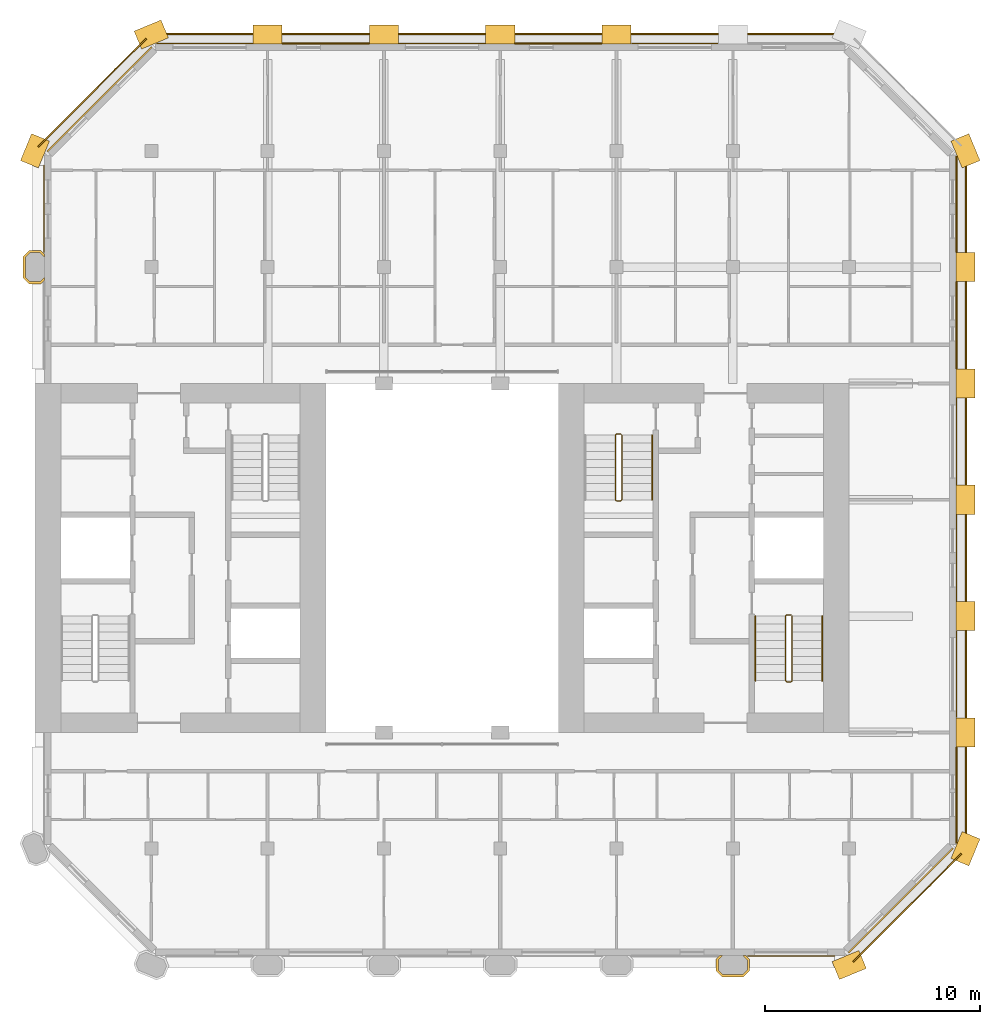
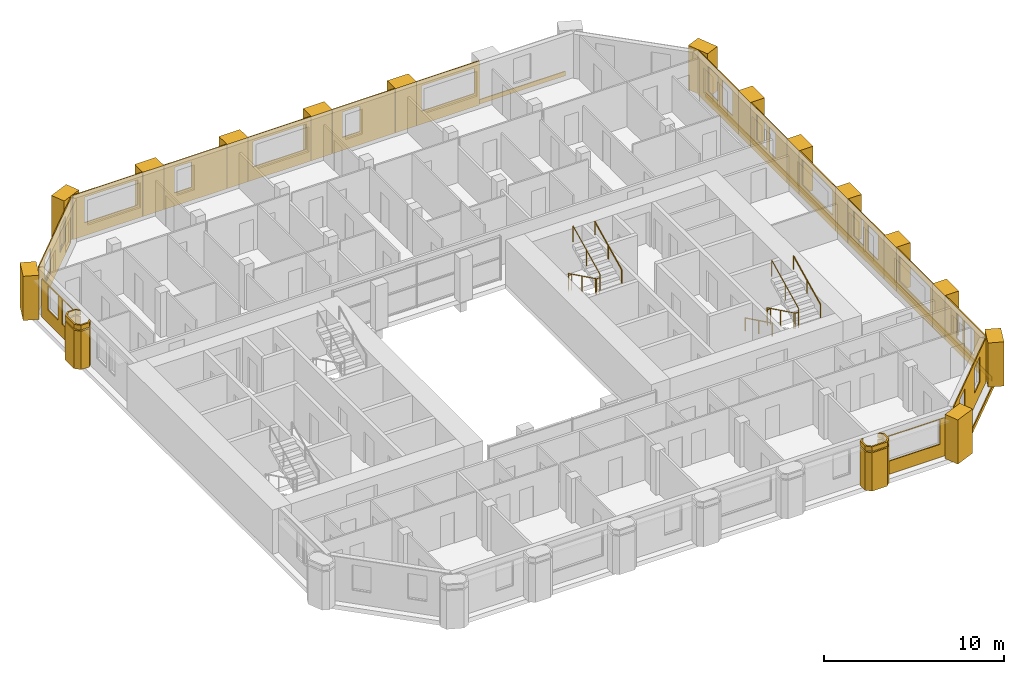
# One storey, part 12 of 13: 37 coverings, 5 railings.
"""IFC4 building model written with IfcOpenShell, lengths in metres."""

from ifc_helpers import new_model, si_unit, direction, frame, frame_2d, origin, origin_2d, place, context, subcontext, project, spatial, polyline, rectangle, circle, outline, extrude, material, layer, layer_set, type_object, element, save


model = new_model("IFC4")

# Units and contexts
model_context = context("Model", 3, precision=1e-05, world=origin(), true_north=direction((0.0, 1.0)))
body_context = subcontext(model_context, "Body", "Model", "MODEL_VIEW")
ifc_project = project(units=[si_unit("LENGTHUNIT", "METRE"), si_unit("AREAUNIT", "SQUARE_METRE"), si_unit("VOLUMEUNIT", "CUBIC_METRE"), si_unit("PLANEANGLEUNIT", "RADIAN"), si_unit("MASSUNIT", "GRAM", prefix="KILO")], contexts=[model_context])

# Site, building, storey
site_placement = place(None, origin())
site = spatial("IfcSite", under=ifc_project, at=site_placement, CompositionType="ELEMENT")
building_placement = place(site_placement, origin())
building = spatial("IfcBuilding", under=site, at=building_placement, Name="Tabaq Tower and Sports Hall", CompositionType="ELEMENT")
storey_placement = place(building_placement, frame((0.0, 0.0, 298.300048828125)))
storey = spatial("IfcBuildingStorey", under=building, at=storey_placement, Name="L74", CompositionType="ELEMENT", Elevation=298.300048828125)

# Coverings
ifc_material_1 = material(Name="Precast concrete C60/75", Category="concrete")
ifc_layer_1 = layer(ifc_material_1, 0.10009765625)
ifc_layer_set_1 = layer_set([ifc_layer_1], Name="Column cladding 100")
covering_type_1 = type_object("IfcCoveringType", Name="Column cladding 100", PredefinedType="CLADDING", material=ifc_layer_set_1)
covering_1_placement = place(storey_placement, origin())
element("IfcCovering", 1, at=covering_1_placement, inside=storey, type_object=covering_type_1, Name="Column cladding L74 PC-2H-R2", PredefinedType="CLADDING", context=body_context, shape_type="SweptSolid", body=[
    extrude(outline(polyline([(5.1337890625, 37.025390625), (4.850341796875, 37.30859375), (4.850341796875, 38.291259765625), (5.1337890625, 38.57470703125), (5.666259765625, 38.57470703125), (5.849609375, 38.391357421875), (5.849609375, 38.250732421875), (5.625244140625, 38.475341796875), (5.1748046875, 38.475341796875), (4.94970703125, 38.250244140625), (4.94970703125, 37.349853515625), (5.1748046875, 37.124755859375), (5.625244140625, 37.124755859375), (5.849609375, 37.349365234375), (5.849609375, 37.208740234375), (5.666259765625, 37.025390625), (5.1337890625, 37.025390625)])), origin(), (0.0, 0.0, 1.0), 2.599853515625),
])
covering_2_placement = place(storey_placement, frame((0.0, 0.0, 2.699951171875)))
element("IfcCovering", 2, at=covering_2_placement, inside=storey, type_object=covering_type_1, Name="Column cladding L74 PC-2H-R2 2", PredefinedType="CLADDING", context=body_context, shape_type="SweptSolid", body=[
    extrude(outline(polyline([(5.1337890625, 37.025390625), (4.850341796875, 37.30859375), (4.850341796875, 38.291259765625), (5.1337890625, 38.57470703125), (5.666259765625, 38.57470703125), (5.849609375, 38.391357421875), (5.849609375, 38.250732421875), (5.625244140625, 38.475341796875), (5.1748046875, 38.475341796875), (4.94970703125, 38.250244140625), (4.94970703125, 37.349853515625), (5.1748046875, 37.124755859375), (5.625244140625, 37.124755859375), (5.849609375, 37.349365234375), (5.849609375, 37.208740234375), (5.666259765625, 37.025390625), (5.1337890625, 37.025390625)])), origin(), (0.0, 0.0, 1.0), 0.300048828125),
])
covering_3_placement = place(storey_placement, origin())
element("IfcCovering", 3, at=covering_3_placement, inside=storey, type_object=covering_type_1, Name="Column cladding L74 PC-8B-R2", PredefinedType="CLADDING", context=body_context, shape_type="SweptSolid", body=[
    extrude(outline(polyline([(37.025390625, 5.666259765625), (37.208740234375, 5.849609375), (37.349365234375, 5.849609375), (37.124755859375, 5.625244140625), (37.124755859375, 5.1748046875), (37.349853515625, 4.94970703125), (38.250244140625, 4.94970703125), (38.475341796875, 5.1748046875), (38.475341796875, 5.625244140625), (38.250732421875, 5.849609375), (38.391357421875, 5.849609375), (38.57470703125, 5.666259765625), (38.57470703125, 5.1337890625), (38.291259765625, 4.850341796875), (37.30859375, 4.850341796875), (37.025390625, 5.1337890625), (37.025390625, 5.666259765625)])), origin(), (0.0, 0.0, 1.0), 2.599853515625),
])
covering_4_placement = place(storey_placement, frame((0.0, 0.0, 2.699951171875)))
element("IfcCovering", 4, at=covering_4_placement, inside=storey, type_object=covering_type_1, Name="Column cladding L74 PC-8B-R2 2", PredefinedType="CLADDING", context=body_context, shape_type="SweptSolid", body=[
    extrude(outline(polyline([(37.025390625, 5.666259765625), (37.208740234375, 5.849609375), (37.349365234375, 5.849609375), (37.124755859375, 5.625244140625), (37.124755859375, 5.1748046875), (37.349853515625, 4.94970703125), (38.250244140625, 4.94970703125), (38.475341796875, 5.1748046875), (38.475341796875, 5.625244140625), (38.250732421875, 5.849609375), (38.391357421875, 5.849609375), (38.57470703125, 5.666259765625), (38.57470703125, 5.1337890625), (38.291259765625, 4.850341796875), (37.30859375, 4.850341796875), (37.025390625, 5.1337890625), (37.025390625, 5.666259765625)])), origin(), (0.0, 0.0, 1.0), 0.300048828125),
])
ifc_material_2 = material(Name="Precast concrete C60/75", Category="concrete")
ifc_layer_2 = layer(ifc_material_2, 0.06005859375)
ifc_layer_set_2 = layer_set([ifc_layer_2], Name="Edge beam cladding 60")
covering_type_2 = type_object("IfcCoveringType", Name="Edge beam cladding 60", PredefinedType="CLADDING", material=ifc_layer_set_2)
covering_5_placement = place(storey_placement, frame((43.39794921875, 5.5556640625, -0.300048828125), z_axis=(0.0, 0.0, 1.0), x_axis=(0.707124002701, 0.707089559252, 0.0)))
element("IfcCovering", 5, at=covering_5_placement, inside=storey, type_object=covering_type_2, Name="Edge beam cladding L74 1", PredefinedType="CLADDING", context=body_context, shape_type="SweptSolid", body=[
    extrude(rectangle(XDim=7.088134765625, YDim=0.06005859375, at=frame_2d((3.5439453125, 0.0))), origin(), (0.0, 0.0, 1.0), 0.300048828125),
])
for number, where, z_axis, x_axis, name in (
    (6, (48.6298828125, 11.0986328125, -0.300048828125), (0.0, 0.0, 1.0), (0.0, 1.0, 0.0), "Edge beam cladding L74 2"),
    (7, (42.9013671875, 48.6298828125, -0.300048828125), (0.0, 0.0, 1.0), (-1.0, 0.0, 0.0), "Edge beam cladding L74 4"),
):
    element("IfcCovering", number, at=place(storey_placement, frame(where, z_axis=z_axis, x_axis=x_axis)), inside=storey, type_object=covering_type_2, Name=name, PredefinedType="CLADDING", context=body_context, shape_type="SweptSolid", body=[
        extrude(rectangle(XDim=31.802734375, YDim=0.06005859375, at=frame_2d((15.9013671875, 0.0))), origin(), (0.0, 0.0, 1.0), 0.300048828125),
    ])
covering_6_placement = place(storey_placement, frame((10.567626953125, 48.41015625, -0.300048828125), z_axis=(0.0, 0.0, 1.0), x_axis=(-0.707089559252, -0.707124002701, 0.0)))
element("IfcCovering", 8, at=covering_6_placement, inside=storey, type_object=covering_type_2, Name="Edge beam cladding L74 5", PredefinedType="CLADDING", context=body_context, shape_type="SweptSolid", body=[
    extrude(rectangle(XDim=7.088134765625, YDim=0.06005859375, at=frame_2d((3.5439453125, 0.0))), origin(), (0.0, 0.0, 1.0), 0.300048828125),
])
ifc_material_3 = material(Name="White precast concrete C60/75", Category="concrete")
covering_type_3 = type_object("IfcCoveringType", Name="Pier cladding hung 1350x900", PredefinedType="CLADDING", material=ifc_material_3)
for number, where, z_axis, x_axis, name in (
    (9, (5.658203125, 43.82373046875, 0.0), (0.0, 0.0, 1.0), (-0.382649923473, -0.923893411637, 0.0), "Hung pier cladding 1/8"),
    (10, (11.423583984375, 48.8583984375, 0.0), (0.0, 0.0, 1.0), (-0.923893411637, -0.382649923473, 0.0), "Hung pier cladding 2/9"),
    (11, (16.875, 48.60009765625, 0.0), (0.0, 0.0, 1.0), (-1.0, 0.0, 0.0), "Hung pier cladding 3/9"),
):
    element("IfcCovering", number, at=place(storey_placement, frame(where, z_axis=z_axis, x_axis=x_axis)), inside=storey, type_object=covering_type_3, Name=name, PredefinedType="CLADDING", context=body_context, shape_type="SweptSolid", body=[
        extrude(rectangle(XDim=1.35009765625, YDim=0.89990234375, at=frame_2d((0.675048828125, 0.0))), origin(), (0.0, 0.0, 1.0), 3.0),
    ])
covering_7_placement = place(storey_placement, frame((22.27490234375, 48.60009765625, 0.0), z_axis=(0.0, 0.0, 1.0), x_axis=(-1.0, 0.0, 0.0)))
element("IfcCovering", 12, at=covering_7_placement, inside=storey, type_object=covering_type_3, Name="Hung pier cladding 4/9", PredefinedType="CLADDING", context=body_context, shape_type="SweptSolid", body=[
    extrude(rectangle(XDim=1.349853515625, YDim=0.89990234375, at=frame_2d((0.6748046875, 0.0))), origin(), (0.0, 0.0, 1.0), 3.0),
])
covering_8_placement = place(storey_placement, frame((27.675048828125, 48.60009765625, 0.0), z_axis=(0.0, 0.0, 1.0), x_axis=(-1.0, 0.0, 0.0)))
element("IfcCovering", 13, at=covering_8_placement, inside=storey, type_object=covering_type_3, Name="Hung pier cladding 5/9", PredefinedType="CLADDING", context=body_context, shape_type="SweptSolid", body=[
    extrude(rectangle(XDim=1.35009765625, YDim=0.89990234375, at=frame_2d((0.675048828125, 0.0))), origin(), (0.0, 0.0, 1.0), 3.0),
])
covering_9_placement = place(storey_placement, frame((33.074951171875, 48.60009765625, 0.0), z_axis=(0.0, 0.0, 1.0), x_axis=(-1.0, 0.0, 0.0)))
element("IfcCovering", 14, at=covering_9_placement, inside=storey, type_object=covering_type_3, Name="Hung pier cladding 6/9", PredefinedType="CLADDING", context=body_context, shape_type="SweptSolid", body=[
    extrude(rectangle(XDim=1.349853515625, YDim=0.89990234375, at=frame_2d((0.6748046875, 0.0))), origin(), (0.0, 0.0, 1.0), 3.0),
])
for number, where, z_axis, x_axis, name in (
    (15, (42.576416015625, 5.1416015625, 0.0), (0.0, 0.0, 1.0), (0.923893411637, 0.382649923473, 0.0), "Hung pier cladding 8/1"),
    (16, (48.341796875, 10.17626953125, 0.0), (0.0, 0.0, 1.0), (0.382649923473, 0.923893411637, 0.0), "Hung pier cladding 9/2"),
    (17, (48.60009765625, 15.52490234375, 0.0), (0.0, 0.0, 1.0), (0.0, 1.0, 0.0), "Hung pier cladding 9/3"),
):
    element("IfcCovering", number, at=place(storey_placement, frame(where, z_axis=z_axis, x_axis=x_axis)), inside=storey, type_object=covering_type_3, Name=name, PredefinedType="CLADDING", context=body_context, shape_type="SweptSolid", body=[
        extrude(rectangle(XDim=1.35009765625, YDim=0.89990234375, at=frame_2d((0.675048828125, 0.0))), origin(), (0.0, 0.0, 1.0), 3.0),
    ])
covering_10_placement = place(storey_placement, frame((48.60009765625, 20.925048828125, 0.0), z_axis=(0.0, 0.0, 1.0), x_axis=(0.0, 1.0, 0.0)))
element("IfcCovering", 18, at=covering_10_placement, inside=storey, type_object=covering_type_3, Name="Hung pier cladding 9/4", PredefinedType="CLADDING", context=body_context, shape_type="SweptSolid", body=[
    extrude(rectangle(XDim=1.349853515625, YDim=0.89990234375, at=frame_2d((0.6748046875, 0.0))), origin(), (0.0, 0.0, 1.0), 3.0),
])
covering_11_placement = place(storey_placement, frame((48.60009765625, 26.324951171875, 0.0), z_axis=(0.0, 0.0, 1.0), x_axis=(0.0, 1.0, 0.0)))
element("IfcCovering", 19, at=covering_11_placement, inside=storey, type_object=covering_type_3, Name="Hung pier cladding 9/5", PredefinedType="CLADDING", context=body_context, shape_type="SweptSolid", body=[
    extrude(rectangle(XDim=1.35009765625, YDim=0.89990234375, at=frame_2d((0.675048828125, 0.0))), origin(), (0.0, 0.0, 1.0), 3.0),
])
covering_12_placement = place(storey_placement, frame((48.60009765625, 31.72509765625, 0.0), z_axis=(0.0, 0.0, 1.0), x_axis=(0.0, 1.0, 0.0)))
element("IfcCovering", 20, at=covering_12_placement, inside=storey, type_object=covering_type_3, Name="Hung pier cladding 9/6", PredefinedType="CLADDING", context=body_context, shape_type="SweptSolid", body=[
    extrude(rectangle(XDim=1.349853515625, YDim=0.89990234375, at=frame_2d((0.6748046875, 0.0))), origin(), (0.0, 0.0, 1.0), 3.0),
])
for number, where, z_axis, x_axis, name in (
    (21, (48.60009765625, 37.125, 0.0), (0.0, 0.0, 1.0), (0.0, 1.0, 0.0), "Hung pier cladding 9/7"),
    (22, (48.8583984375, 42.576416015625, 0.0), (0.0, 0.0, 1.0), (-0.382649923473, 0.923893411637, 0.0), "Hung pier cladding 9/8"),
):
    element("IfcCovering", number, at=place(storey_placement, frame(where, z_axis=z_axis, x_axis=x_axis)), inside=storey, type_object=covering_type_3, Name=name, PredefinedType="CLADDING", context=body_context, shape_type="SweptSolid", body=[
        extrude(rectangle(XDim=1.35009765625, YDim=0.89990234375, at=frame_2d((0.675048828125, 0.0))), origin(), (0.0, 0.0, 1.0), 3.0),
    ])

# Railings
ifc_material_4 = material(Name="Stainless steel", Category="steel")
railing_type_1 = type_object("IfcRailingType", Name="Stair guard", PredefinedType="GUARDRAIL", material=ifc_material_4)
railing_1_placement = place(storey_placement, frame((40.5, 21.64990234375, 0.0)))
element("IfcRailing", 23, at=railing_1_placement, inside=storey, type_object=railing_type_1, Name="L74 ST3 stair guard 1", PredefinedType="GUARDRAIL", context=body_context, shape_type="SweptSolid", body=[
    extrude(circle(Radius=0.02392578125, at=origin_2d()), frame((0.0, 0.0, 1.076171875), z_axis=(-1.0, 0.0, 0.0), x_axis=(0.0, -1.0, 0.0)), (0.0, 0.0, 1.0), 0.199951171875),
    extrude(circle(Radius=0.02392578125, at=origin_2d()), frame((-0.199951171875, 0.0, 1.076171875), z_axis=(-0.254733673405, -0.25349107012, 0.933195066962), x_axis=(0.705375805398, -0.708833529934, 0.0)), (0.0, 0.0, 1.0), 0.196533203125),
    extrude(circle(Radius=0.02392578125, at=origin_2d()), frame((-0.25, -0.0498046875, 1.25927734375), z_axis=(0.0, -0.898397823093, 0.439182594671), x_axis=(1.0, 0.0, 0.0)), (0.0, 0.0, 1.0), 3.33935546875),
    extrude(circle(Radius=0.02392578125, at=origin_2d()), frame((-0.25, -3.0498046875, 2.72607421875), z_axis=(0.707106781187, -0.707106781187, 0.0), x_axis=(0.707106781187, 0.707106781187, 0.0)), (0.0, 0.0, 1.0), 0.07080078125),
    extrude(circle(Radius=0.02392578125, at=origin_2d()), frame((-0.199951171875, -3.099853515625, 2.72607421875), z_axis=(1.0, 0.0, 0.0), x_axis=(0.0, 1.0, 0.0)), (0.0, 0.0, 1.0), 0.199951171875),
    extrude(circle(Radius=0.02392578125, at=origin_2d()), frame((0.0, -3.099853515625, 2.72607421875), z_axis=(0.254653276557, 0.254653276557, 0.932900539971), x_axis=(-0.707106781187, 0.707106781187, 0.0)), (0.0, 0.0, 1.0), 0.196533203125),
    extrude(circle(Radius=0.02392578125, at=origin_2d()), frame((0.050048828125, -3.0498046875, 2.9091796875), z_axis=(0.0, 0.898368975038, 0.439241601728), x_axis=(-1.0, 0.0, 0.0)), (0.0, 0.0, 1.0), 3.33935546875),
    extrude(circle(Radius=0.02099609375, at=origin_2d()), origin(), (0.0, 0.0, 1.0), 1.052001953125),
    extrude(circle(Radius=0.02099609375, at=origin_2d()), frame((-0.199951171875, 0.0, 0.0)), (0.0, 0.0, 1.0), 1.052001953125),
    extrude(circle(Radius=0.02099609375, at=origin_2d()), frame((-0.25, -0.0498046875, 0.183349609375)), (0.0, 0.0, 1.0), 1.052001953125),
    extrude(circle(Radius=0.02099609375, at=origin_2d()), frame((-0.25, -1.5498046875, 0.91650390625)), (0.0, 0.0, 1.0), 1.052001953125),
    extrude(circle(Radius=0.02099609375, at=origin_2d()), frame((-0.25, -3.0498046875, 1.64990234375)), (0.0, 0.0, 1.0), 1.052001953125),
    extrude(circle(Radius=0.02099609375, at=origin_2d()), frame((-0.199951171875, -3.099853515625, 1.64990234375)), (0.0, 0.0, 1.0), 1.052001953125),
    extrude(circle(Radius=0.02099609375, at=origin_2d()), frame((0.0, -3.099853515625, 1.64990234375)), (0.0, 0.0, 1.0), 1.052001953125),
    extrude(circle(Radius=0.02099609375, at=origin_2d()), frame((0.050048828125, -3.0498046875, 1.833251953125)), (0.0, 0.0, 1.0), 1.052001953125),
    extrude(circle(Radius=0.02099609375, at=origin_2d()), frame((0.050048828125, -1.5498046875, 2.566650390625)), (0.0, 0.0, 1.0), 1.052001953125),
    extrude(circle(Radius=0.02099609375, at=origin_2d()), frame((0.050048828125, -0.0498046875, 3.300048828125)), (0.0, 0.0, 1.0), 1.052001953125),
])
railing_2_placement = place(storey_placement, frame((32.60009765625, 30.050048828125, 0.0)))
element("IfcRailing", 24, at=railing_2_placement, inside=storey, type_object=railing_type_1, Name="L74 ST4 stair guard 1", PredefinedType="GUARDRAIL", context=body_context, shape_type="SweptSolid", body=[
    extrude(circle(Radius=0.02392578125, at=origin_2d()), frame((0.0, 0.0, 1.076171875), z_axis=(-1.0, 0.0, 0.0), x_axis=(0.0, -1.0, 0.0)), (0.0, 0.0, 1.0), 0.2001953125),
    extrude(circle(Radius=0.02392578125, at=origin_2d()), frame((-0.2001953125, 0.0, 1.076171875), z_axis=(-0.25349107012, -0.254733673405, 0.933195066962), x_axis=(0.708833529934, -0.705375805398, 0.0)), (0.0, 0.0, 1.0), 0.196533203125),
    extrude(circle(Radius=0.02392578125, at=origin_2d()), frame((-0.25, -0.050048828125, 1.25927734375), z_axis=(0.0, -0.898397823093, 0.439182594671), x_axis=(1.0, 0.0, 0.0)), (0.0, 0.0, 1.0), 3.33935546875),
    extrude(circle(Radius=0.02392578125, at=origin_2d()), frame((-0.25, -3.050048828125, 2.72607421875), z_axis=(0.705375805398, -0.708833529934, 0.0), x_axis=(0.708833529934, 0.705375805398, 0.0)), (0.0, 0.0, 1.0), 0.070556640625),
    extrude(circle(Radius=0.02392578125, at=origin_2d()), frame((-0.2001953125, -3.10009765625, 2.72607421875), z_axis=(1.0, 0.0, 0.0), x_axis=(0.0, 1.0, 0.0)), (0.0, 0.0, 1.0), 0.2001953125),
    extrude(circle(Radius=0.02392578125, at=origin_2d()), frame((0.0, -3.10009765625, 2.72607421875), z_axis=(0.25349107012, 0.254733673405, 0.933195066962), x_axis=(-0.708833529934, 0.705375805398, 0.0)), (0.0, 0.0, 1.0), 0.196533203125),
    extrude(circle(Radius=0.02392578125, at=origin_2d()), frame((0.0498046875, -3.050048828125, 2.9091796875), z_axis=(0.0, 0.898368975038, 0.439241601728), x_axis=(-1.0, 0.0, 0.0)), (0.0, 0.0, 1.0), 3.33935546875),
    extrude(circle(Radius=0.02099609375, at=origin_2d()), origin(), (0.0, 0.0, 1.0), 1.052001953125),
    extrude(circle(Radius=0.02099609375, at=origin_2d()), frame((-0.2001953125, 0.0, 0.0)), (0.0, 0.0, 1.0), 1.052001953125),
    extrude(circle(Radius=0.02099609375, at=origin_2d()), frame((-0.25, -0.050048828125, 0.183349609375)), (0.0, 0.0, 1.0), 1.052001953125),
    extrude(circle(Radius=0.02099609375, at=origin_2d()), frame((-0.25, -1.550048828125, 0.91650390625)), (0.0, 0.0, 1.0), 1.052001953125),
    extrude(circle(Radius=0.02099609375, at=origin_2d()), frame((-0.25, -3.050048828125, 1.64990234375)), (0.0, 0.0, 1.0), 1.052001953125),
    extrude(circle(Radius=0.02099609375, at=origin_2d()), frame((-0.2001953125, -3.10009765625, 1.64990234375)), (0.0, 0.0, 1.0), 1.052001953125),
    extrude(circle(Radius=0.02099609375, at=origin_2d()), frame((0.0, -3.10009765625, 1.64990234375)), (0.0, 0.0, 1.0), 1.052001953125),
    extrude(circle(Radius=0.02099609375, at=origin_2d()), frame((0.0498046875, -3.050048828125, 1.833251953125)), (0.0, 0.0, 1.0), 1.052001953125),
    extrude(circle(Radius=0.02099609375, at=origin_2d()), frame((0.0498046875, -1.550048828125, 2.566650390625)), (0.0, 0.0, 1.0), 1.052001953125),
    extrude(circle(Radius=0.02099609375, at=origin_2d()), frame((0.0498046875, -0.050048828125, 3.300048828125)), (0.0, 0.0, 1.0), 1.052001953125),
])
ifc_material_5 = material(Name="Stainless steel", Category="steel")
railing_type_2 = type_object("IfcRailingType", Name="Stair handrail", PredefinedType="HANDRAIL", material=ifc_material_5)
railing_3_placement = place(storey_placement, frame((38.85009765625, 21.60009765625, 0.183349609375)))
element("IfcRailing", 25, at=railing_3_placement, inside=storey, type_object=railing_type_2, Name="L74 ST3 stair handrail 1", PredefinedType="HANDRAIL", context=body_context, shape_type="SweptSolid", body=[
    extrude(circle(Radius=0.02392578125, at=origin_2d()), frame((0.0, 0.0, 0.8759765625), z_axis=(0.0, -0.898397823093, 0.439182594671), x_axis=(1.0, 0.0, 0.0)), (0.0, 0.0, 1.0), 3.33935546875),
    extrude(circle(Radius=0.02099609375, at=origin_2d()), origin(), (0.0, 0.0, 1.0), 0.851806640625),
    extrude(circle(Radius=0.02099609375, at=origin_2d()), frame((0.0, -1.5, 0.7333984375)), (0.0, 0.0, 1.0), 0.851806640625),
    extrude(circle(Radius=0.02099609375, at=origin_2d()), frame((0.0, -3.0, 1.466552734375)), (0.0, 0.0, 1.0), 0.851806640625),
])
for number, where, name in (
    (26, (41.949951171875, 18.60009765625, 1.833251953125), "L74 ST3 stair handrail 2"),
    (27, (34.050048828125, 27.0, 1.833251953125), "L74 ST4 stair handrail 2"),
):
    element("IfcRailing", number, at=place(storey_placement, frame(where)), inside=storey, type_object=railing_type_2, Name=name, PredefinedType="HANDRAIL", context=body_context, shape_type="SweptSolid", body=[
        extrude(circle(Radius=0.02392578125, at=origin_2d()), frame((0.0, 0.0, 0.8759765625), z_axis=(0.0, 0.898368975038, 0.439241601728), x_axis=(-1.0, 0.0, 0.0)), (0.0, 0.0, 1.0), 3.33935546875),
        extrude(circle(Radius=0.02099609375, at=origin_2d()), origin(), (0.0, 0.0, 1.0), 0.851806640625),
        extrude(circle(Radius=0.02099609375, at=origin_2d()), frame((0.0, 1.5, 0.7333984375)), (0.0, 0.0, 1.0), 0.851806640625),
        extrude(circle(Radius=0.02099609375, at=origin_2d()), frame((0.0, 3.0, 1.466796875)), (0.0, 0.0, 1.0), 0.851806640625),
    ])

# Coverings
ifc_material_6 = material(Name="Precast concrete C60/75", Category="concrete")
ifc_layer_3 = layer(ifc_material_6, 0.06005859375)
ifc_layer_set_3 = layer_set([ifc_layer_3], Name="White precast cladding panel 60 C60/75")
covering_type_4 = type_object("IfcCoveringType", Name="White precast cladding panel 60 C60/75", PredefinedType="CLADDING", material=ifc_layer_set_3)
covering_13_placement = place(storey_placement, frame((38.485107421875, 5.820068359375, 0.0), z_axis=(0.0, 0.0, 1.0), x_axis=(1.0, 0.0, 0.0)))
element("IfcCovering", 28, at=covering_13_placement, inside=storey, type_object=covering_type_4, Name="White precast cladding panel L74 wall00 6", PredefinedType="CLADDING", context=body_context, shape_type="SweptSolid", body=[
    extrude(outline(polyline([(0.0, 0.0), (4.0498046875, 0.0), (4.0498046875, 2.58984375), (0.0, 2.58984375), (0.0, 0.0)]), holes=[polyline([(3.72509765625, 0.889892578125), (0.304931640625, 0.889892578125), (0.304931640625, 2.56005859375), (3.72509765625, 2.56005859375), (3.72509765625, 0.889892578125)])]), frame((0.0, 0.030029296875, 0.0), z_axis=(0.0, -1.0, 0.0), x_axis=(1.0, 0.0, 0.0)), (0.0, 0.0, 1.0), 0.06005859375),
])
covering_14_placement = place(storey_placement, frame((43.177734375, 5.9716796875, 0.0), z_axis=(0.0, 0.0, 1.0), x_axis=(0.707106781187, 0.707106781187, 0.0)))
element("IfcCovering", 29, at=covering_14_placement, inside=storey, type_object=covering_type_4, Name="White precast cladding panel L74 wall01", PredefinedType="CLADDING", context=body_context, shape_type="SweptSolid", body=[
    extrude(outline(polyline([(0.0, 0.0), (6.85986328125, 0.0), (6.85986328125, 3.0), (0.0, 3.0), (0.0, 0.0)]), holes=[polyline([(1.269775390625, 2.60986328125), (2.389892578125, 2.60986328125), (2.389892578125, 0.889892578125), (1.269775390625, 0.889892578125), (1.269775390625, 2.60986328125)]), polyline([(4.4697265625, 2.60986328125), (5.58984375, 2.60986328125), (5.58984375, 0.889892578125), (4.4697265625, 0.889892578125), (4.4697265625, 2.60986328125)])]), frame((0.0, 0.030029296875, 0.0), z_axis=(0.0, -1.0, 0.0), x_axis=(1.0, 0.0, 0.0)), (0.0, 0.0, 1.0), 0.06005859375),
])
covering_15_placement = place(storey_placement, frame((48.179931640625, 11.043212890625, 0.0), z_axis=(0.0, 0.0, 1.0), x_axis=(0.0, 1.0, 0.0)))
element("IfcCovering", 30, at=covering_15_placement, inside=storey, type_object=covering_type_4, Name="White precast cladding panel L74 wall02", PredefinedType="CLADDING", context=body_context, shape_type="SweptSolid", body=[
    extrude(outline(polyline([(0.0, 0.0), (4.4716796875, 0.0), (4.4716796875, 3.0), (0.0, 3.0), (0.0, 0.0)]), holes=[polyline([(1.246826171875, 2.60986328125), (2.366943359375, 2.60986328125), (2.366943359375, 0.889892578125), (1.246826171875, 0.889892578125), (1.246826171875, 2.60986328125)]), polyline([(2.521728515625, 2.60986328125), (3.19189453125, 2.60986328125), (3.19189453125, 0.889892578125), (2.521728515625, 0.889892578125), (2.521728515625, 2.60986328125)])]), frame((0.0, 0.030029296875, 0.0), z_axis=(0.0, -1.0, 0.0), x_axis=(1.0, 0.0, 0.0)), (0.0, 0.0, 1.0), 0.06005859375),
])
covering_16_placement = place(storey_placement, frame((48.179931640625, 16.885009765625, 0.0), z_axis=(0.0, 0.0, 1.0), x_axis=(0.0, 1.0, 0.0)))
element("IfcCovering", 31, at=covering_16_placement, inside=storey, type_object=covering_type_4, Name="White precast cladding panel L74 wall02 2", PredefinedType="CLADDING", context=body_context, shape_type="SweptSolid", body=[
    extrude(outline(polyline([(0.0, 0.0), (4.030029296875, 0.0), (4.030029296875, 3.0), (0.0, 3.0), (0.0, 0.0)]), holes=[polyline([(0.304931640625, 0.889892578125), (0.304931640625, 2.60986328125), (3.72509765625, 2.60986328125), (3.72509765625, 0.889892578125), (0.304931640625, 0.889892578125)])]), frame((0.0, 0.030029296875, 0.0), z_axis=(0.0, -1.0, 0.0), x_axis=(1.0, 0.0, 0.0)), (0.0, 0.0, 1.0), 0.06005859375),
])
covering_17_placement = place(storey_placement, frame((48.179931640625, 22.284912109375, 0.0), z_axis=(0.0, 0.0, 1.0), x_axis=(0.0, 1.0, 0.0)))
element("IfcCovering", 32, at=covering_17_placement, inside=storey, type_object=covering_type_4, Name="White precast cladding panel L74 wall02 3", PredefinedType="CLADDING", context=body_context, shape_type="SweptSolid", body=[
    extrude(outline(polyline([(0.0, 0.0), (4.030029296875, 0.0), (4.030029296875, 3.0), (0.0, 3.0), (0.0, 0.0)]), holes=[polyline([(0.655029296875, 2.60986328125), (1.77490234375, 2.60986328125), (1.77490234375, 0.889892578125), (0.655029296875, 0.889892578125), (0.655029296875, 2.60986328125)]), polyline([(2.2548828125, 2.60986328125), (3.375, 2.60986328125), (3.375, 0.889892578125), (2.2548828125, 0.889892578125), (2.2548828125, 2.60986328125)])]), frame((0.0, 0.030029296875, 0.0), z_axis=(0.0, -1.0, 0.0), x_axis=(1.0, 0.0, 0.0)), (0.0, 0.0, 1.0), 0.06005859375),
])
covering_18_placement = place(storey_placement, frame((48.179931640625, 27.68505859375, 0.0), z_axis=(0.0, 0.0, 1.0), x_axis=(0.0, 1.0, 0.0)))
element("IfcCovering", 33, at=covering_18_placement, inside=storey, type_object=covering_type_4, Name="White precast cladding panel L74 wall02 4", PredefinedType="CLADDING", context=body_context, shape_type="SweptSolid", body=[
    extrude(outline(polyline([(0.0, 0.0), (4.030029296875, 0.0), (4.030029296875, 3.0), (0.0, 3.0), (0.0, 0.0)]), holes=[polyline([(0.304931640625, 0.889892578125), (0.304931640625, 2.60986328125), (3.72509765625, 2.60986328125), (3.72509765625, 0.889892578125), (0.304931640625, 0.889892578125)])]), frame((0.0, 0.030029296875, 0.0), z_axis=(0.0, -1.0, 0.0), x_axis=(1.0, 0.0, 0.0)), (0.0, 0.0, 1.0), 0.06005859375),
])
covering_19_placement = place(storey_placement, frame((48.179931640625, 33.0849609375, 0.0), z_axis=(0.0, 0.0, 1.0), x_axis=(0.0, 1.0, 0.0)))
element("IfcCovering", 34, at=covering_19_placement, inside=storey, type_object=covering_type_4, Name="White precast cladding panel L74 wall02 5", PredefinedType="CLADDING", context=body_context, shape_type="SweptSolid", body=[
    extrude(outline(polyline([(0.0, 0.0), (4.030029296875, 0.0), (4.030029296875, 3.0), (0.0, 3.0), (0.0, 0.0)]), holes=[polyline([(1.280029296875, 2.60986328125), (1.949951171875, 2.60986328125), (1.949951171875, 0.889892578125), (1.280029296875, 0.889892578125), (1.280029296875, 2.60986328125)]), polyline([(2.2548828125, 2.60986328125), (3.375, 2.60986328125), (3.375, 0.889892578125), (2.2548828125, 0.889892578125), (2.2548828125, 2.60986328125)])]), frame((0.0, 0.030029296875, 0.0), z_axis=(0.0, -1.0, 0.0), x_axis=(1.0, 0.0, 0.0)), (0.0, 0.0, 1.0), 0.06005859375),
])
covering_20_placement = place(storey_placement, frame((48.179931640625, 38.485107421875, 0.0), z_axis=(0.0, 0.0, 1.0), x_axis=(0.0, 1.0, 0.0)))
element("IfcCovering", 35, at=covering_20_placement, inside=storey, type_object=covering_type_4, Name="White precast cladding panel L74 wall02 6", PredefinedType="CLADDING", context=body_context, shape_type="SweptSolid", body=[
    extrude(outline(polyline([(0.0, 0.0), (4.4716796875, 0.0), (4.4716796875, 3.0), (0.0, 3.0), (0.0, 0.0)]), holes=[polyline([(0.655029296875, 2.60986328125), (1.77490234375, 2.60986328125), (1.77490234375, 0.889892578125), (0.655029296875, 0.889892578125), (0.655029296875, 2.60986328125)]), polyline([(2.2548828125, 2.60986328125), (3.375, 2.60986328125), (3.375, 0.889892578125), (2.2548828125, 0.889892578125), (2.2548828125, 2.60986328125)])]), frame((0.0, 0.030029296875, 0.0), z_axis=(0.0, -1.0, 0.0), x_axis=(1.0, 0.0, 0.0)), (0.0, 0.0, 1.0), 0.06005859375),
])
covering_21_placement = place(storey_placement, frame((37.114990234375, 48.179931640625, 0.0), z_axis=(0.0, 0.0, 1.0), x_axis=(-1.0, 0.0, 0.0)))
element("IfcCovering", 36, at=covering_21_placement, inside=storey, type_object=covering_type_4, Name="White precast cladding panel L74 wall04 2", PredefinedType="CLADDING", context=body_context, shape_type="SweptSolid", body=[
    extrude(outline(polyline([(0.0, 0.0), (4.030029296875, 0.0), (4.030029296875, 3.0), (0.0, 3.0), (0.0, 0.0)]), holes=[polyline([(0.304931640625, 0.889892578125), (0.304931640625, 2.60986328125), (3.72509765625, 2.60986328125), (3.72509765625, 0.889892578125), (0.304931640625, 0.889892578125)])]), frame((0.0, 0.030029296875, 0.0), z_axis=(0.0, -1.0, 0.0), x_axis=(1.0, 0.0, 0.0)), (0.0, 0.0, 1.0), 0.06005859375),
])
covering_22_placement = place(storey_placement, frame((31.715087890625, 48.179931640625, 0.0), z_axis=(0.0, 0.0, 1.0), x_axis=(-1.0, 0.0, 0.0)))
element("IfcCovering", 37, at=covering_22_placement, inside=storey, type_object=covering_type_4, Name="White precast cladding panel L74 wall04 3", PredefinedType="CLADDING", context=body_context, shape_type="SweptSolid", body=[
    extrude(outline(polyline([(0.0, 0.0), (4.030029296875, 0.0), (4.030029296875, 3.0), (0.0, 3.0), (0.0, 0.0)]), holes=[polyline([(2.2548828125, 0.889892578125), (2.2548828125, 2.60986328125), (3.375, 2.60986328125), (3.375, 0.889892578125), (2.2548828125, 0.889892578125)])]), frame((0.0, 0.030029296875, 0.0), z_axis=(0.0, -1.0, 0.0), x_axis=(1.0, 0.0, 0.0)), (0.0, 0.0, 1.0), 0.06005859375),
])
covering_23_placement = place(storey_placement, frame((26.31494140625, 48.179931640625, 0.0), z_axis=(0.0, 0.0, 1.0), x_axis=(-1.0, 0.0, 0.0)))
element("IfcCovering", 38, at=covering_23_placement, inside=storey, type_object=covering_type_4, Name="White precast cladding panel L74 wall04 4", PredefinedType="CLADDING", context=body_context, shape_type="SweptSolid", body=[
    extrude(outline(polyline([(0.0, 0.0), (4.030029296875, 0.0), (4.030029296875, 3.0), (0.0, 3.0), (0.0, 0.0)]), holes=[polyline([(0.304931640625, 0.889892578125), (0.304931640625, 2.60986328125), (3.72509765625, 2.60986328125), (3.72509765625, 0.889892578125), (0.304931640625, 0.889892578125)])]), frame((0.0, 0.030029296875, 0.0), z_axis=(0.0, -1.0, 0.0), x_axis=(1.0, 0.0, 0.0)), (0.0, 0.0, 1.0), 0.06005859375),
])
covering_24_placement = place(storey_placement, frame((20.9150390625, 48.179931640625, 0.0), z_axis=(0.0, 0.0, 1.0), x_axis=(-1.0, 0.0, 0.0)))
element("IfcCovering", 39, at=covering_24_placement, inside=storey, type_object=covering_type_4, Name="White precast cladding panel L74 wall04 5", PredefinedType="CLADDING", context=body_context, shape_type="SweptSolid", body=[
    extrude(outline(polyline([(0.0, 0.0), (4.030029296875, 0.0), (4.030029296875, 3.0), (0.0, 3.0), (0.0, 0.0)]), holes=[polyline([(2.2548828125, 0.889892578125), (2.2548828125, 2.60986328125), (3.375, 2.60986328125), (3.375, 0.889892578125), (2.2548828125, 0.889892578125)])]), frame((0.0, 0.030029296875, 0.0), z_axis=(0.0, -1.0, 0.0), x_axis=(1.0, 0.0, 0.0)), (0.0, 0.0, 1.0), 0.06005859375),
])
covering_25_placement = place(storey_placement, frame((15.514892578125, 48.179931640625, 0.0), z_axis=(0.0, 0.0, 1.0), x_axis=(-1.0, 0.0, 0.0)))
element("IfcCovering", 40, at=covering_25_placement, inside=storey, type_object=covering_type_4, Name="White precast cladding panel L74 wall04 6", PredefinedType="CLADDING", context=body_context, shape_type="SweptSolid", body=[
    extrude(outline(polyline([(0.0, 0.0), (4.4716796875, 0.0), (4.4716796875, 3.0), (0.0, 3.0), (0.0, 0.0)]), holes=[polyline([(0.304931640625, 0.889892578125), (0.304931640625, 2.60986328125), (3.72509765625, 2.60986328125), (3.72509765625, 0.889892578125), (0.304931640625, 0.889892578125)])]), frame((0.0, 0.030029296875, 0.0), z_axis=(0.0, -1.0, 0.0), x_axis=(1.0, 0.0, 0.0)), (0.0, 0.0, 1.0), 0.06005859375),
])
covering_26_placement = place(storey_placement, frame((10.822265625, 48.0283203125, 0.0), z_axis=(0.0, 0.0, 1.0), x_axis=(-0.707106781187, -0.707106781187, 0.0)))
element("IfcCovering", 41, at=covering_26_placement, inside=storey, type_object=covering_type_4, Name="White precast cladding panel L74 wall05", PredefinedType="CLADDING", context=body_context, shape_type="SweptSolid", body=[
    extrude(outline(polyline([(0.0, 0.0), (6.85986328125, 0.0), (6.85986328125, 3.0), (0.0, 3.0), (0.0, 0.0)]), holes=[polyline([(1.269775390625, 2.60986328125), (2.389892578125, 2.60986328125), (2.389892578125, 0.889892578125), (1.269775390625, 0.889892578125), (1.269775390625, 2.60986328125)]), polyline([(4.4697265625, 2.60986328125), (5.58984375, 2.60986328125), (5.58984375, 0.889892578125), (4.4697265625, 0.889892578125), (4.4697265625, 2.60986328125)])]), frame((0.0, 0.030029296875, 0.0), z_axis=(0.0, -1.0, 0.0), x_axis=(1.0, 0.0, 0.0)), (0.0, 0.0, 1.0), 0.06005859375),
])
covering_27_placement = place(storey_placement, frame((5.820068359375, 42.534912109375, 0.0), z_axis=(0.0, 0.0, 1.0), x_axis=(0.0, -1.0, 0.0)))
element("IfcCovering", 42, at=covering_27_placement, inside=storey, type_object=covering_type_4, Name="White precast cladding panel L74 wall06", PredefinedType="CLADDING", context=body_context, shape_type="SweptSolid", body=[
    extrude(outline(polyline([(0.0, 0.0), (4.0498046875, 0.0), (4.0498046875, 2.58984375), (0.0, 2.58984375), (0.0, 0.0)]), holes=[polyline([(0.675048828125, 0.889892578125), (0.675048828125, 2.56005859375), (1.794921875, 2.56005859375), (1.794921875, 0.889892578125), (0.675048828125, 0.889892578125)]), polyline([(2.27490234375, 0.889892578125), (2.27490234375, 2.56005859375), (3.39501953125, 2.56005859375), (3.39501953125, 0.889892578125), (2.27490234375, 0.889892578125)])]), frame((0.0, 0.030029296875, 0.0), z_axis=(0.0, -1.0, 0.0), x_axis=(1.0, 0.0, 0.0)), (0.0, 0.0, 1.0), 0.06005859375),
])

save(model, "model.ifc")
